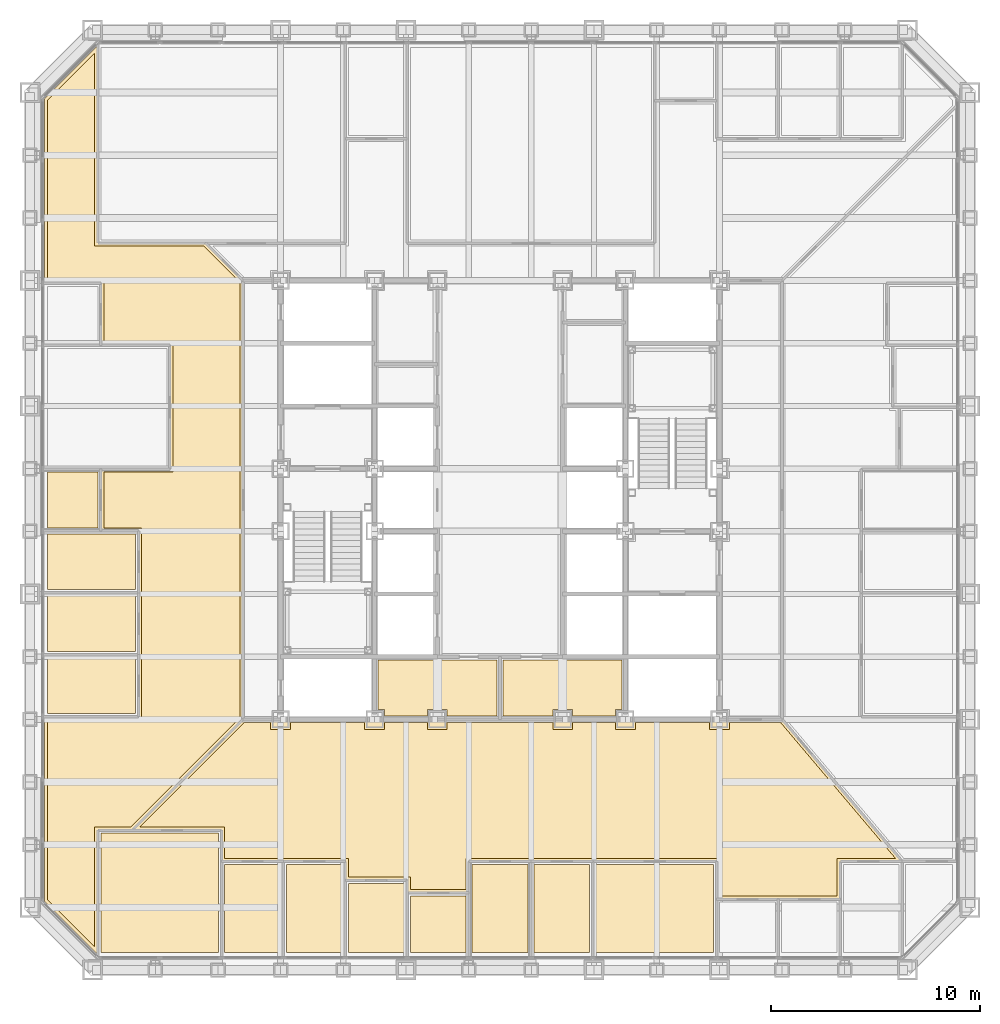
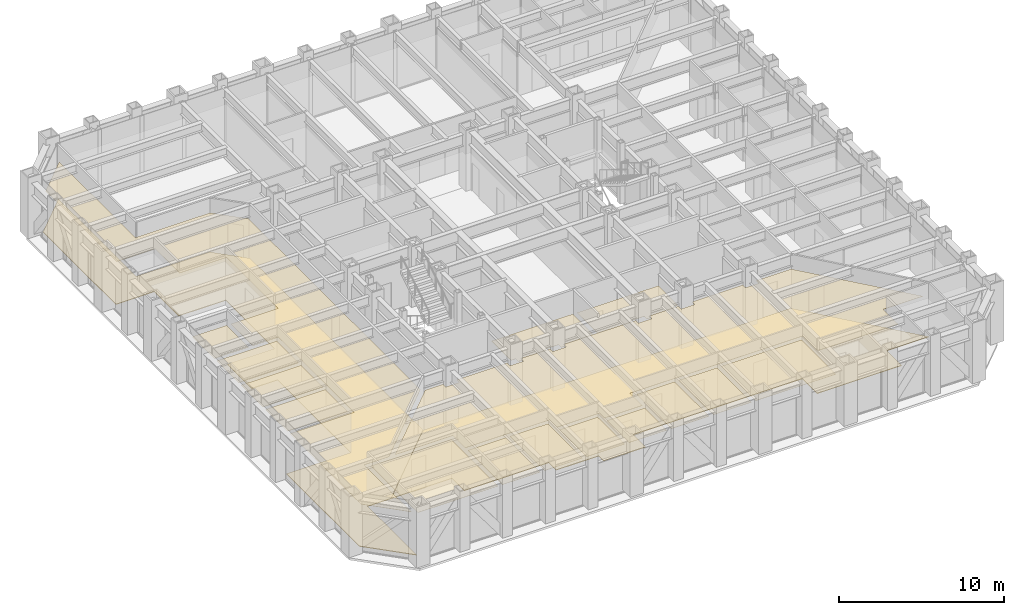
# One storey, part 14 of 16: 18 coverings.
"""IFC4 building model written with IfcOpenShell, lengths in metres."""

from ifc_helpers import new_model, si_unit, direction, frame, origin, place, context, subcontext, project, spatial, polyline, outline, extrude, material, layer, layer_set, type_object, element, save


model = new_model("IFC4")

# Units and contexts
model_context = context("Model", 3, precision=1e-05, world=origin(), true_north=direction((0.0, 1.0)))
body_context = subcontext(model_context, "Body", "Model", "MODEL_VIEW")
ifc_project = project(units=[si_unit("LENGTHUNIT", "METRE"), si_unit("AREAUNIT", "SQUARE_METRE"), si_unit("VOLUMEUNIT", "CUBIC_METRE"), si_unit("PLANEANGLEUNIT", "RADIAN"), si_unit("MASSUNIT", "GRAM", prefix="KILO")], contexts=[model_context])

# Site, building, storey
site_placement = place(None, origin())
site = spatial("IfcSite", under=ifc_project, at=site_placement, CompositionType="ELEMENT")
building_placement = place(site_placement, origin())
building = spatial("IfcBuilding", under=site, at=building_placement, Name="Chuquiago Exchange Tower", CompositionType="ELEMENT")
storey_placement = place(building_placement, frame((0.0, 0.0, 33.300048828125)))
storey = spatial("IfcBuildingStorey", under=building, at=storey_placement, Name="L06", CompositionType="ELEMENT", Elevation=33.300048828125)

# Coverings
ifc_material_1 = material(Name="Mineral fibre tile, 600 x 600, on pale metal grid", Category="mineral fibre")
ifc_layer_1 = layer(ifc_material_1, 0.02001953125)
ifc_layer_set_1 = layer_set([ifc_layer_1], Name="CL1 suspended tile ceiling 20")
covering_type_1 = type_object("IfcCoveringType", Name="CL1 suspended tile ceiling 20", PredefinedType="CEILING", material=ifc_layer_set_1)
covering_1_placement = place(storey_placement, frame((0.0, 0.0, 3.0)))
element("IfcCovering", 1, at=covering_1_placement, inside=storey, type_object=covering_type_1, Name="Ceiling Market data room", PredefinedType="CEILING", context=body_context, shape_type="SweptSolid", body=[
    extrude(outline(polyline([(3.3984375, 6.550048828125), (9.022216796875, 6.550048828125), (9.022216796875, 0.85009765625), (3.3984375, 0.85009765625), (3.3984375, 6.550048828125)])), origin(), (0.0, 0.0, 1.0), 0.02001953125),
])
covering_2_placement = place(storey_placement, frame((0.0, 0.0, 3.0)))
element("IfcCovering", 2, at=covering_2_placement, inside=storey, type_object=covering_type_1, Name="Ceiling Trading support room", PredefinedType="CEILING", context=body_context, shape_type="SweptSolid", body=[
    extrude(outline(polyline([(9.322021484375, 5.050048828125), (11.98388671875, 5.050048828125), (11.98388671875, 0.85009765625), (9.322021484375, 0.85009765625), (9.322021484375, 5.050048828125)])), origin(), (0.0, 0.0, 1.0), 0.02001953125),
])
covering_3_placement = place(storey_placement, frame((0.0, 0.0, 3.0)))
element("IfcCovering", 3, at=covering_3_placement, inside=storey, type_object=covering_type_1, Name="Ceiling Trading support room", PredefinedType="CEILING", context=body_context, shape_type="SweptSolid", body=[
    extrude(outline(polyline([(12.28369140625, 5.050048828125), (14.945556640625, 5.050048828125), (14.945556640625, 0.85009765625), (12.28369140625, 0.85009765625), (12.28369140625, 5.050048828125)])), origin(), (0.0, 0.0, 1.0), 0.02001953125),
])
covering_4_placement = place(storey_placement, frame((0.0, 0.0, 3.0)))
element("IfcCovering", 4, at=covering_4_placement, inside=storey, type_object=covering_type_1, Name="Ceiling Comms room", PredefinedType="CEILING", context=body_context, shape_type="SweptSolid", body=[
    extrude(outline(polyline([(15.24560546875, 4.14990234375), (17.907470703125, 4.14990234375), (17.907470703125, 0.85009765625), (15.24560546875, 0.85009765625), (15.24560546875, 4.14990234375)])), origin(), (0.0, 0.0, 1.0), 0.02001953125),
])
covering_5_placement = place(storey_placement, frame((0.0, 0.0, 3.0)))
element("IfcCovering", 5, at=covering_5_placement, inside=storey, type_object=covering_type_1, Name="Ceiling Store", PredefinedType="CEILING", context=body_context, shape_type="SweptSolid", body=[
    extrude(outline(polyline([(18.20751953125, 3.550048828125), (20.869140625, 3.550048828125), (20.869140625, 0.85009765625), (18.20751953125, 0.85009765625), (18.20751953125, 3.550048828125)])), origin(), (0.0, 0.0, 1.0), 0.02001953125),
])
covering_6_placement = place(storey_placement, frame((0.0, 0.0, 3.0)))
element("IfcCovering", 6, at=covering_6_placement, inside=storey, type_object=covering_type_1, Name="Ceiling Office", PredefinedType="CEILING", context=body_context, shape_type="SweptSolid", body=[
    extrude(outline(polyline([(21.169189453125, 5.050048828125), (23.830810546875, 5.050048828125), (23.830810546875, 0.85009765625), (21.169189453125, 0.85009765625), (21.169189453125, 5.050048828125)])), origin(), (0.0, 0.0, 1.0), 0.02001953125),
])
covering_7_placement = place(storey_placement, frame((0.0, 0.0, 3.0)))
element("IfcCovering", 7, at=covering_7_placement, inside=storey, type_object=covering_type_1, Name="Ceiling Office", PredefinedType="CEILING", context=body_context, shape_type="SweptSolid", body=[
    extrude(outline(polyline([(24.130859375, 5.050048828125), (26.79248046875, 5.050048828125), (26.79248046875, 0.85009765625), (24.130859375, 0.85009765625), (24.130859375, 5.050048828125)])), origin(), (0.0, 0.0, 1.0), 0.02001953125),
])
covering_8_placement = place(storey_placement, frame((0.0, 0.0, 3.0)))
element("IfcCovering", 8, at=covering_8_placement, inside=storey, type_object=covering_type_1, Name="Ceiling Meeting room", PredefinedType="CEILING", context=body_context, shape_type="SweptSolid", body=[
    extrude(outline(polyline([(27.092529296875, 5.050048828125), (32.71630859375, 5.050048828125), (32.71630859375, 0.85009765625), (27.092529296875, 0.85009765625), (27.092529296875, 5.050048828125)])), origin(), (0.0, 0.0, 1.0), 0.02001953125),
])
covering_9_placement = place(storey_placement, frame((0.0, 0.0, 3.0)))
element("IfcCovering", 9, at=covering_9_placement, inside=storey, type_object=covering_type_1, Name="Ceiling Office", PredefinedType="CEILING", context=body_context, shape_type="SweptSolid", body=[
    extrude(outline(polyline([(5.050048828125, 14.945556640625), (5.050048828125, 12.28369140625), (0.85009765625, 12.28369140625), (0.85009765625, 14.945556640625), (5.050048828125, 14.945556640625)])), origin(), (0.0, 0.0, 1.0), 0.02001953125),
])
covering_10_placement = place(storey_placement, frame((0.0, 0.0, 3.0)))
element("IfcCovering", 10, at=covering_10_placement, inside=storey, type_object=covering_type_1, Name="Ceiling Office", PredefinedType="CEILING", context=body_context, shape_type="SweptSolid", body=[
    extrude(outline(polyline([(5.050048828125, 17.907470703125), (5.050048828125, 15.24560546875), (0.85009765625, 15.24560546875), (0.85009765625, 17.907470703125), (5.050048828125, 17.907470703125)])), origin(), (0.0, 0.0, 1.0), 0.02001953125),
])
covering_11_placement = place(storey_placement, frame((0.0, 0.0, 3.0)))
element("IfcCovering", 11, at=covering_11_placement, inside=storey, type_object=covering_type_1, Name="Ceiling Office", PredefinedType="CEILING", context=body_context, shape_type="SweptSolid", body=[
    extrude(outline(polyline([(5.050048828125, 20.869140625), (5.050048828125, 18.20751953125), (0.85009765625, 18.20751953125), (0.85009765625, 20.869140625), (5.050048828125, 20.869140625)])), origin(), (0.0, 0.0, 1.0), 0.02001953125),
])
covering_12_placement = place(storey_placement, frame((0.0, 0.0, 3.0)))
element("IfcCovering", 12, at=covering_12_placement, inside=storey, type_object=covering_type_1, Name="Ceiling Focus room", PredefinedType="CEILING", context=body_context, shape_type="SweptSolid", body=[
    extrude(outline(polyline([(3.25, 23.830810546875), (3.25, 21.169189453125), (0.85009765625, 21.169189453125), (0.85009765625, 23.830810546875), (3.25, 23.830810546875)])), origin(), (0.0, 0.0, 1.0), 0.02001953125),
])
covering_13_placement = place(storey_placement, frame((0.0, 0.0, 3.0)))
element("IfcCovering", 13, at=covering_13_placement, inside=storey, type_object=covering_type_1, Name="Ceiling Trading floor south", PredefinedType="CEILING", context=body_context, shape_type="SweptSolid", body=[
    extrude(outline(polyline([(38.6396484375, 3.550048828125), (33.01611328125, 3.550048828125), (33.01611328125, 5.35009765625), (20.869140625, 5.35009765625), (20.869140625, 3.85009765625), (18.20751953125, 3.85009765625), (18.20751953125, 4.449951171875), (15.24560546875, 4.449951171875), (15.24560546875, 5.35009765625), (9.322021484375, 5.35009765625), (9.322021484375, 6.85009765625), (5.2626953125, 6.85009765625), (10.2626953125, 11.85009765625), (11.52490234375, 11.85009765625), (11.52490234375, 11.52490234375), (12.47509765625, 11.52490234375), (12.47509765625, 11.85009765625), (16.02490234375, 11.85009765625), (16.02490234375, 11.52490234375), (16.97509765625, 11.52490234375), (16.97509765625, 11.85009765625), (19.02490234375, 11.85009765625), (19.02490234375, 11.52490234375), (19.97509765625, 11.52490234375), (19.97509765625, 11.85009765625), (25.02490234375, 11.85009765625), (25.02490234375, 11.52490234375), (25.97509765625, 11.52490234375), (25.97509765625, 11.85009765625), (28.02490234375, 11.85009765625), (28.02490234375, 11.52490234375), (28.97509765625, 11.52490234375), (28.97509765625, 11.85009765625), (32.52490234375, 11.85009765625), (32.52490234375, 11.52490234375), (33.47509765625, 11.52490234375), (33.47509765625, 11.85009765625), (35.929931640625, 11.85009765625), (41.427490234375, 5.35009765625), (38.6396484375, 5.35009765625), (38.6396484375, 3.550048828125)])), origin(), (0.0, 0.0, 1.0), 0.02001953125),
])
covering_14_placement = place(storey_placement, frame((0.0, 0.0, 3.0)))
element("IfcCovering", 14, at=covering_14_placement, inside=storey, type_object=covering_type_1, Name="Ceiling Trading floor west", PredefinedType="CEILING", context=body_context, shape_type="SweptSolid", body=[
    extrude(outline(polyline([(3.098388671875, 34.64990234375), (8.337158203125, 34.64990234375), (10.050048828125, 32.9375), (10.050048828125, 12.0625), (4.837158203125, 6.85009765625), (3.098388671875, 6.85009765625), (3.098388671875, 1.103515625), (0.85009765625, 3.35205078125), (0.85009765625, 11.98388671875), (5.35009765625, 11.98388671875), (5.35009765625, 21.169189453125), (3.550048828125, 21.169189453125), (3.550048828125, 23.830810546875), (6.85009765625, 23.830810546875), (6.85009765625, 30.054443359375), (3.550048828125, 30.054443359375), (3.550048828125, 33.01611328125), (0.85009765625, 33.01611328125), (0.85009765625, 41.64794921875), (3.098388671875, 43.896484375), (3.098388671875, 34.64990234375)])), origin(), (0.0, 0.0, 1.0), 0.02001953125),
])
ifc_material_2 = material(Name="Moisture resistant plasterboard on metal frame", Category="gypsum")
ifc_layer_2 = layer(ifc_material_2, 0.014892578125)
ifc_layer_set_2 = layer_set([ifc_layer_2], Name="CL2 moisture resistant ceiling 15")
covering_type_2 = type_object("IfcCoveringType", Name="CL2 moisture resistant ceiling 15", PredefinedType="CEILING", material=ifc_layer_set_2)
covering_15_placement = place(storey_placement, frame((0.0, 0.0, 2.599853515625)))
element("IfcCovering", 15, at=covering_15_placement, inside=storey, type_object=covering_type_2, Name="Ceiling Accessible WC", PredefinedType="CEILING", context=body_context, shape_type="SweptSolid", body=[
    extrude(outline(polyline([(25.97509765625, 12.14990234375), (25.97509765625, 12.47509765625), (25.02490234375, 12.47509765625), (25.02490234375, 12.14990234375), (22.64990234375, 12.14990234375), (22.64990234375, 14.85009765625), (28.35009765625, 14.85009765625), (28.35009765625, 12.47509765625), (28.02490234375, 12.47509765625), (28.02490234375, 12.14990234375), (25.97509765625, 12.14990234375)])), origin(), (0.0, 0.0, 1.0), 0.01513671875),
])
covering_16_placement = place(storey_placement, frame((0.0, 0.0, 2.599853515625)))
element("IfcCovering", 16, at=covering_16_placement, inside=storey, type_object=covering_type_2, Name="Ceiling Cleaner", PredefinedType="CEILING", context=body_context, shape_type="SweptSolid", body=[
    extrude(outline(polyline([(19.97509765625, 12.14990234375), (19.97509765625, 12.47509765625), (19.02490234375, 12.47509765625), (19.02490234375, 12.14990234375), (16.97509765625, 12.14990234375), (16.97509765625, 12.47509765625), (16.64990234375, 12.47509765625), (16.64990234375, 14.85009765625), (22.35009765625, 14.85009765625), (22.35009765625, 12.14990234375), (19.97509765625, 12.14990234375)])), origin(), (0.0, 0.0, 1.0), 0.01513671875),
])
ifc_material_3 = material(Name="Steel raised floor panel", Category="steel")
ifc_layer_3 = layer(ifc_material_3, 0.0400390625)
ifc_layer_set_3 = layer_set([ifc_layer_3], Name="RF1 raised access floor 40")
covering_type_3 = type_object("IfcCoveringType", Name="RF1 raised access floor 40", PredefinedType="FLOORING", material=ifc_layer_set_3)
covering_17_placement = place(storey_placement, frame((0.0, 0.0, -0.0400390625)))
element("IfcCovering", 17, at=covering_17_placement, inside=storey, type_object=covering_type_3, Name="Raised access floor Trading floor south", PredefinedType="FLOORING", context=body_context, shape_type="SweptSolid", body=[
    extrude(outline(polyline([(38.789794921875, 5.199951171875), (38.789794921875, 3.39990234375), (32.8662109375, 3.39990234375), (32.8662109375, 5.199951171875), (21.01904296875, 5.199951171875), (21.01904296875, 3.699951171875), (18.057373046875, 3.699951171875), (18.057373046875, 4.300048828125), (15.095703125, 4.300048828125), (15.095703125, 5.199951171875), (9.172119140625, 5.199951171875), (9.172119140625, 6.699951171875), (4.900634765625, 6.699951171875), (10.200439453125, 12.0), (35.99951171875, 12.0), (41.750732421875, 5.199951171875), (38.789794921875, 5.199951171875)])), origin(), (0.0, 0.0, 1.0), 0.0400390625),
])
covering_18_placement = place(storey_placement, frame((0.0, 0.0, -0.0400390625)))
element("IfcCovering", 18, at=covering_18_placement, inside=storey, type_object=covering_type_3, Name="Raised access floor Trading floor west", PredefinedType="FLOORING", context=body_context, shape_type="SweptSolid", body=[
    extrude(outline(polyline([(5.199951171875, 12.1337890625), (5.199951171875, 21.01904296875), (3.39990234375, 21.01904296875), (3.39990234375, 23.98095703125), (6.699951171875, 23.98095703125), (6.699951171875, 29.904296875), (3.39990234375, 29.904296875), (3.39990234375, 32.8662109375), (0.699951171875, 32.8662109375), (0.699951171875, 41.710205078125), (3.289794921875, 44.300048828125), (3.24853515625, 44.258544921875), (3.24853515625, 34.800048828125), (8.3994140625, 34.800048828125), (10.199951171875, 32.99951171875), (10.199951171875, 12.00048828125), (4.8994140625, 6.699951171875), (3.24853515625, 6.699951171875), (3.24853515625, 0.741455078125), (0.699951171875, 3.289794921875), (0.699951171875, 12.1337890625), (5.199951171875, 12.1337890625)])), origin(), (0.0, 0.0, 1.0), 0.0400390625),
])

save(model, "model.ifc")
